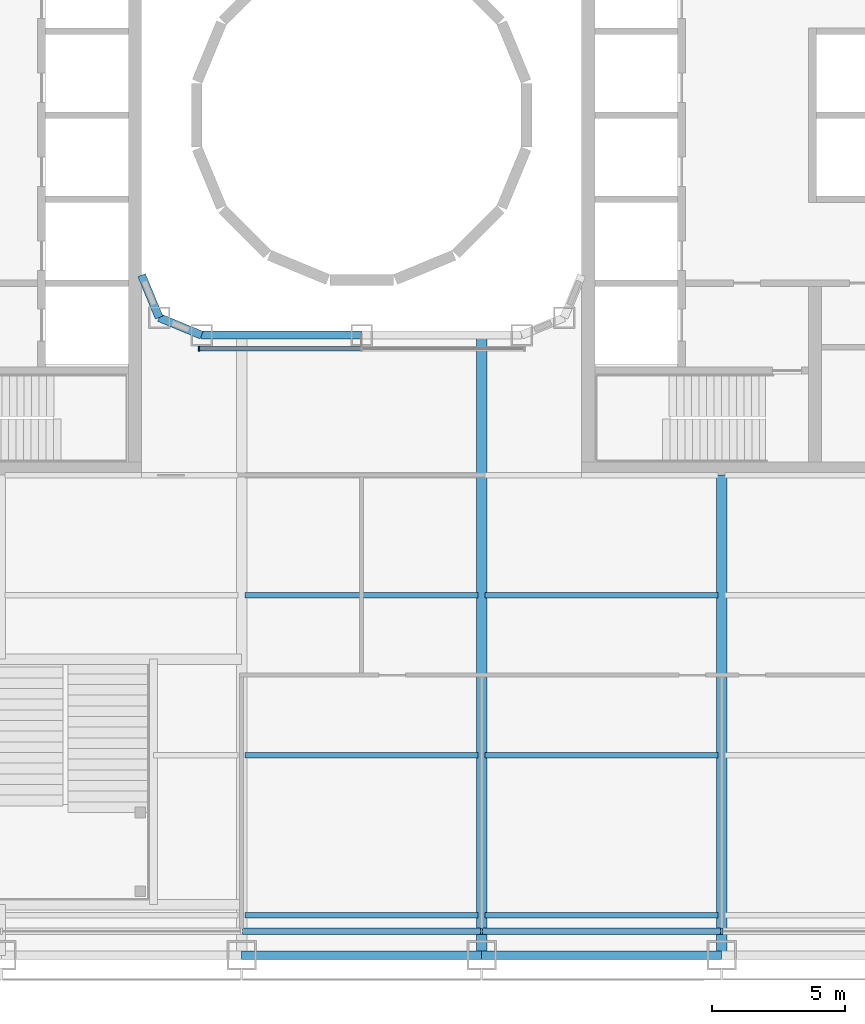
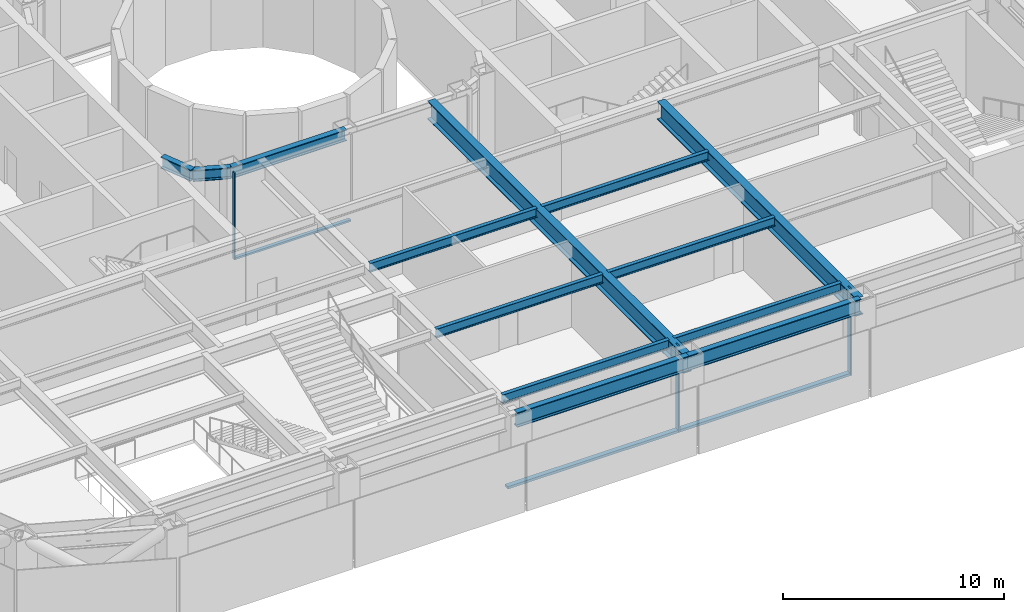
# One storey, part 3 of 25: 13 beams, 6 members, 2 elements without a shape of their own.
"""IFC4 building model written with IfcOpenShell, lengths in metres."""

from ifc_helpers import new_model, si_unit, direction, frame, origin, origin_2d, place, context, subcontext, project, spatial, rectangle, i_section, extrude, material, layer, layer_set, material_profile, profile_set, type_object, element, aggregate, save


model = new_model("IFC4")

# Units and contexts
model_context = context("Model", 3, precision=1e-05, world=origin(), true_north=direction((0.0, 1.0)))
body_context = subcontext(model_context, "Body", "Model", "MODEL_VIEW")
ifc_project = project(units=[si_unit("LENGTHUNIT", "METRE"), si_unit("AREAUNIT", "SQUARE_METRE"), si_unit("VOLUMEUNIT", "CUBIC_METRE"), si_unit("PLANEANGLEUNIT", "RADIAN"), si_unit("MASSUNIT", "GRAM", prefix="KILO")], contexts=[model_context])

# Site, building, storey
site_placement = place(None, origin())
site = spatial("IfcSite", under=ifc_project, at=site_placement, CompositionType="ELEMENT")
building_placement = place(site_placement, origin())
building = spatial("IfcBuilding", under=site, at=building_placement, Name="Siwar Civic Tower", CompositionType="ELEMENT")
storey_placement = place(building_placement, frame((0.0, 0.0, 7.199951171875)))
storey = spatial("IfcBuildingStorey", under=building, at=storey_placement, Name="L01", CompositionType="ELEMENT", Elevation=7.199951171875)

# Curtain wall, members
ifc_material_1 = material(Name="Aluminium and glass", Category="aluminium")
ifc_layer_1 = layer(ifc_material_1, 0.25)
ifc_layer_set_1 = layer_set([ifc_layer_1], Name="Aluminium and glass")
curtain_wall_type_1 = type_object("IfcCurtainWallType", Name="ENV-CW-H", PredefinedType="NOTDEFINED", material=ifc_layer_set_1)
curtain_wall_1_placement = place(storey_placement, origin())
curtain_wall_1 = element("IfcCurtainWall", 1, at=curtain_wall_1_placement, inside=storey, type_object=curtain_wall_type_1, Name="Curtain wall H S", PredefinedType="NOTDEFINED")
ifc_material_2 = material(Name="Aluminium 6063-T6", Category="aluminium")
ifc_material_profile_1 = material_profile(ifc_material_2, rectangle(XDim=0.25, YDim=0.080078125, at=origin_2d()), Name="AL 250x80")
ifc_profile_set_1 = profile_set([ifc_material_profile_1], Name="Aluminium 6063-T6")
member_type_1 = type_object("IfcMemberType", Name="ENV-MULLION-H", PredefinedType="MULLION", material=ifc_profile_set_1)
member_1_placement = place(storey_placement, frame((4.5, -30.60009765625, 0.0), z_axis=(0.0, 0.0, 1.0), x_axis=(0.0, 1.0, 0.0)))
member_1 = element("IfcMember", 2, at=member_1_placement, type_object=member_type_1, Name="Mullion H S 4", PredefinedType="MULLION", context=body_context, shape_type="SweptSolid", body=[
    extrude(rectangle(XDim=0.25, YDim=0.080078125, at=origin_2d()), origin(), (0.0, 0.0, 1.0), 4.800048828125),
])
member_2_placement = place(storey_placement, frame((13.5, -30.60009765625, 0.0), z_axis=(0.0, 0.0, 1.0), x_axis=(0.0, 1.0, 0.0)))
member_2 = element("IfcMember", 3, at=member_2_placement, type_object=member_type_1, Name="Mullion H S 5", PredefinedType="MULLION", context=body_context, shape_type="SweptSolid", body=[
    extrude(rectangle(XDim=0.25, YDim=0.080078125, at=origin_2d()), origin(), (0.0, 0.0, 1.0), 4.800048828125),
])

# Curtain wall, member
ifc_material_3 = material(Name="Aluminium and glass", Category="aluminium")
ifc_layer_2 = layer(ifc_material_3, 0.179931640625)
ifc_layer_set_2 = layer_set([ifc_layer_2], Name="Aluminium and glass")
curtain_wall_type_2 = type_object("IfcCurtainWallType", Name="ENV-CW-W", PredefinedType="NOTDEFINED", material=ifc_layer_set_2)
curtain_wall_2_placement = place(storey_placement, origin())
curtain_wall_2 = element("IfcCurtainWall", 4, at=curtain_wall_2_placement, inside=storey, type_object=curtain_wall_type_2, Name="Curtain wall W WS", PredefinedType="NOTDEFINED")
ifc_material_4 = material(Name="Aluminium 6063-T6", Category="aluminium")
ifc_material_profile_2 = material_profile(ifc_material_4, rectangle(XDim=0.179931640625, YDim=0.06005859375, at=origin_2d()), Name="AL 180x60")
ifc_profile_set_2 = profile_set([ifc_material_profile_2], Name="Aluminium 6063-T6")
member_type_2 = type_object("IfcMemberType", Name="ENV-MULLION-W", PredefinedType="MULLION", material=ifc_profile_set_2)
member_3_placement = place(storey_placement, frame((-6.1015625, -8.760009765625, 0.0), z_axis=(0.0, 0.0, 1.0), x_axis=(0.0, 1.0, 0.0)))
member_3 = element("IfcMember", 5, at=member_3_placement, type_object=member_type_2, Name="Mullion W WS 1", PredefinedType="MULLION", context=body_context, shape_type="SweptSolid", body=[
    extrude(rectangle(XDim=0.179931640625, YDim=0.06005859375, at=origin_2d()), origin(), (0.0, 0.0, 1.0), 4.800048828125),
])

# Member
ifc_material_5 = material(Name="Aluminium 6063-T6", Category="aluminium")
ifc_material_profile_3 = material_profile(ifc_material_5, rectangle(XDim=0.25, YDim=0.139892578125, at=origin_2d()), Name="AL 250x140")
ifc_profile_set_3 = profile_set([ifc_material_profile_3], Name="Aluminium 6063-T6")
member_type_3 = type_object("IfcMemberType", Name="ENV-TRANSOM-H", PredefinedType="USERDEFINED", material=ifc_profile_set_3)
member_4_placement = place(storey_placement, frame((-4.4599609375, -30.60009765625, 0.070068359375), z_axis=(1.0, 0.0, 0.0), x_axis=(0.0, 1.0, 0.0)))
member_4 = element("IfcMember", 6, at=member_4_placement, type_object=member_type_3, Name="Transom H S 3", ObjectType="TRANSOM", PredefinedType="USERDEFINED", context=body_context, shape_type="SweptSolid", body=[
    extrude(rectangle(XDim=0.25, YDim=0.139892578125, at=origin_2d()), origin(), (0.0, 0.0, 1.0), 8.919921875),
])

member_5_placement = place(storey_placement, frame((4.5400390625, -30.60009765625, 0.070068359375), z_axis=(1.0, 0.0, 0.0), x_axis=(0.0, 1.0, 0.0)))
member_5 = element("IfcMember", 7, at=member_5_placement, type_object=member_type_3, Name="Transom H S 4", ObjectType="TRANSOM", PredefinedType="USERDEFINED", context=body_context, shape_type="SweptSolid", body=[
    extrude(rectangle(XDim=0.25, YDim=0.139892578125, at=origin_2d()), origin(), (0.0, 0.0, 1.0), 8.919921875),
])

aggregate(curtain_wall_1, [member_1, member_2, member_4, member_5])

ifc_material_6 = material(Name="Aluminium 6063-T6", Category="aluminium")
ifc_material_profile_4 = material_profile(ifc_material_6, rectangle(XDim=0.179931640625, YDim=0.10009765625, at=origin_2d()), Name="AL 180x100")
ifc_profile_set_4 = profile_set([ifc_material_profile_4], Name="Aluminium 6063-T6")
member_type_4 = type_object("IfcMemberType", Name="ENV-TRANSOM-W", PredefinedType="USERDEFINED", material=ifc_profile_set_4)
member_6_placement = place(storey_placement, frame((-6.071533203125, -8.760009765625, 0.050048828125), z_axis=(1.0, 0.0, 0.0), x_axis=(0.0, 1.0, 0.0)))
member_6 = element("IfcMember", 8, at=member_6_placement, type_object=member_type_4, Name="Transom W WS 1", ObjectType="TRANSOM", PredefinedType="USERDEFINED", context=body_context, shape_type="SweptSolid", body=[
    extrude(rectangle(XDim=0.179931640625, YDim=0.10009765625, at=origin_2d()), origin(), (0.0, 0.0, 1.0), 6.04150390625),
])

aggregate(curtain_wall_2, [member_3, member_6])

# Beams
ifc_material_7 = material(Name="Steel S355", Category="steel")
ifc_material_profile_5 = material_profile(ifc_material_7, i_section(OverallWidth=0.199951171875, OverallDepth=0.5, WebThickness=0.01025390625, FlangeThickness=0.01611328125, FilletRadius=0.02099609375, at=origin_2d()), Name="IPE500")
ifc_profile_set_5 = profile_set([ifc_material_profile_5], Name="Steel S355")
beam_type_1 = type_object("IfcBeamType", Name="STR-FB-IPE500", PredefinedType="JOIST", material=ifc_profile_set_5)
for number, where, z_axis, x_axis, name in (
    (9, (-4.3701171875, -30.0, 4.550048828125), (1.0, 0.0, 0.0), (0.0, 1.0, 0.0), "L01/bm/F004"),
    (10, (4.6298828125, -30.0, 4.550048828125), (1.0, 0.0, 0.0), (0.0, 1.0, 0.0), "L01/bm/F005"),
    (11, (-4.3701171875, -24.0, 4.550048828125), (1.0, 0.0, 0.0), (0.0, 1.0, 0.0), "L01/bm/F011"),
    (12, (4.6298828125, -24.0, 4.550048828125), (1.0, 0.0, 0.0), (0.0, 1.0, 0.0), "L01/bm/F012"),
    (13, (-4.3701171875, -18.0, 4.550048828125), (1.0, 0.0, 0.0), (0.0, 1.0, 0.0), "L01/bm/F017"),
    (14, (4.6298828125, -18.0, 4.550048828125), (1.0, 0.0, 0.0), (0.0, 1.0, 0.0), "L01/bm/F018"),
):
    element("IfcBeam", number, at=place(storey_placement, frame(where, z_axis=z_axis, x_axis=x_axis)), inside=storey, type_object=beam_type_1, Name=name, PredefinedType="JOIST", context=body_context, shape_type="SweptSolid", body=[
        extrude(i_section(OverallWidth=0.199951171875, OverallDepth=0.5, WebThickness=0.01025390625, FlangeThickness=0.01611328125, FilletRadius=0.02099609375, at=origin_2d()), origin(), (0.0, 0.0, 1.0), 8.740234375),
    ])
ifc_material_8 = material(Name="Steel S355", Category="steel")
ifc_material_profile_6 = material_profile(ifc_material_8, i_section(OverallWidth=0.39990234375, OverallDepth=1.0, WebThickness=0.01611328125, FlangeThickness=0.0400390625, at=origin_2d()), Name="PG1000x400x16x40")
ifc_profile_set_6 = profile_set([ifc_material_profile_6], Name="Steel S355")
beam_type_2 = type_object("IfcBeamType", Name="STR-PG-PG1000x400x16x40", PredefinedType="BEAM", material=ifc_profile_set_6)
beam_1_placement = place(storey_placement, frame((4.5, -31.5, 4.300048828125), z_axis=(0.0, 1.0, 0.0), x_axis=(-1.0, 0.0, 0.0)))
element("IfcBeam", 15, at=beam_1_placement, inside=storey, type_object=beam_type_2, Name="L01/bm/G08", PredefinedType="BEAM", context=body_context, shape_type="SweptSolid", body=[
    extrude(i_section(OverallWidth=0.39990234375, OverallDepth=1.0, WebThickness=0.01611328125, FlangeThickness=0.0400390625, at=origin_2d()), origin(), (0.0, 0.0, 1.0), 23.25),
])
beam_2_placement = place(storey_placement, frame((13.5, -31.5, 4.300048828125), z_axis=(0.0, 1.0, 0.0), x_axis=(-1.0, 0.0, 0.0)))
element("IfcBeam", 16, at=beam_2_placement, inside=storey, type_object=beam_type_2, Name="L01/bm/G10", PredefinedType="BEAM", context=body_context, shape_type="SweptSolid", body=[
    extrude(i_section(OverallWidth=0.39990234375, OverallDepth=1.0, WebThickness=0.01611328125, FlangeThickness=0.0400390625, at=origin_2d()), origin(), (0.0, 0.0, 1.0), 18.0),
])
ifc_material_9 = material(Name="Steel S355", Category="steel")
ifc_material_profile_7 = material_profile(ifc_material_9, i_section(OverallWidth=0.304931640625, OverallDepth=0.6201171875, WebThickness=0.02099609375, FlangeThickness=0.0400390625, FilletRadius=0.027099609375, at=origin_2d()), Name="HEM600")
ifc_profile_set_7 = profile_set([ifc_material_profile_7], Name="Steel S355")
beam_type_3 = type_object("IfcBeamType", Name="STR-RB-HEM600", PredefinedType="BEAM", material=ifc_profile_set_7)
beam_3_placement = place(storey_placement, frame((-7.591064453125, -7.591064453125, 4.489990234375), z_axis=(0.923901072997, -0.382631424892, 0.0), x_axis=(0.382631424892, 0.923901072997, 0.0)))
element("IfcBeam", 17, at=beam_3_placement, inside=storey, type_object=beam_type_3, Name="L01/bm/RS0", PredefinedType="BEAM", context=body_context, shape_type="SweptSolid", body=[
    extrude(i_section(OverallWidth=0.304931640625, OverallDepth=0.6201171875, WebThickness=0.02099609375, FlangeThickness=0.0400390625, FilletRadius=0.027099609375, at=origin_2d()), origin(), (0.0, 0.0, 1.0), 1.72216796875),
])
beam_4_placement = place(storey_placement, frame((-6.0, -8.25, 4.489990234375), z_axis=(1.0, 0.0, 0.0), x_axis=(0.0, 1.0, 0.0)))
element("IfcBeam", 18, at=beam_4_placement, inside=storey, type_object=beam_type_3, Name="L01/bm/RS1", PredefinedType="BEAM", context=body_context, shape_type="SweptSolid", body=[
    extrude(i_section(OverallWidth=0.304931640625, OverallDepth=0.6201171875, WebThickness=0.02099609375, FlangeThickness=0.0400390625, FilletRadius=0.027099609375, at=origin_2d()), origin(), (0.0, 0.0, 1.0), 6.0),
])
beam_5_placement = place(storey_placement, frame((-7.591064453125, -7.591064453125, 4.489990234375), z_axis=(-0.382631424892, 0.923901072997, 0.0), x_axis=(-0.923901072997, -0.382631424892, 0.0)))
element("IfcBeam", 19, at=beam_5_placement, inside=storey, type_object=beam_type_3, Name="L01/bm/RSEW", PredefinedType="BEAM", context=body_context, shape_type="SweptSolid", body=[
    extrude(i_section(OverallWidth=0.304931640625, OverallDepth=0.6201171875, WebThickness=0.02099609375, FlangeThickness=0.0400390625, FilletRadius=0.027099609375, at=origin_2d()), origin(), (0.0, 0.0, 1.0), 1.72216796875),
])
ifc_material_10 = material(Name="Steel S355", Category="steel")
ifc_material_profile_8 = material_profile(ifc_material_10, i_section(OverallWidth=0.302978515625, OverallDepth=0.81396484375, WebThickness=0.02099609375, FlangeThickness=0.0400390625, FilletRadius=0.030029296875, at=origin_2d()), Name="HEM800")
ifc_profile_set_8 = profile_set([ifc_material_profile_8], Name="Steel S355")
beam_type_4 = type_object("IfcBeamType", Name="STR-SB-HEM800", PredefinedType="BEAM", material=ifc_profile_set_8)
for number, where, z_axis, x_axis, name in (
    (20, (-4.5, -31.5, 4.39306640625), (1.0, 0.0, 0.0), (0.0, 1.0, 0.0), "L01/bm/SS-2"),
    (21, (4.5, -31.5, 4.39306640625), (1.0, 0.0, 0.0), (0.0, 1.0, 0.0), "L01/bm/SS-3"),
):
    element("IfcBeam", number, at=place(storey_placement, frame(where, z_axis=z_axis, x_axis=x_axis)), inside=storey, type_object=beam_type_4, Name=name, PredefinedType="BEAM", context=body_context, shape_type="SweptSolid", body=[
        extrude(i_section(OverallWidth=0.302978515625, OverallDepth=0.81396484375, WebThickness=0.02099609375, FlangeThickness=0.0400390625, FilletRadius=0.030029296875, at=origin_2d()), origin(), (0.0, 0.0, 1.0), 9.0),
    ])

save(model, "model.ifc")
